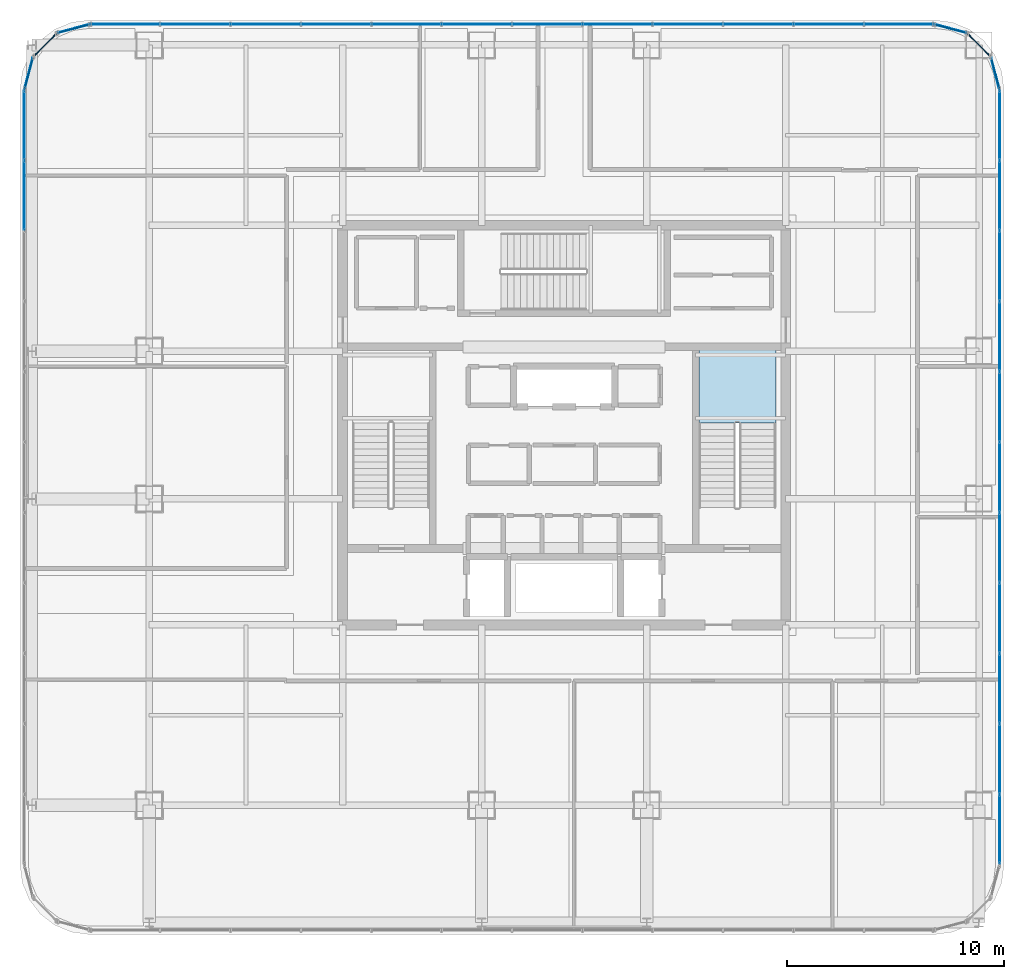
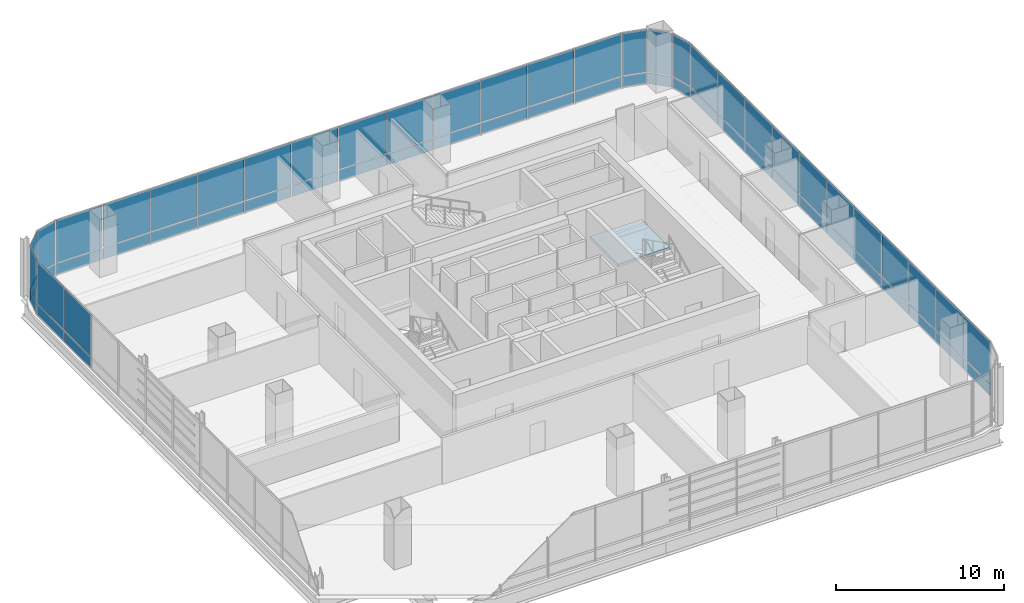
# One storey, part 34 of 43: 62 plates, 1 slab, 10 elements without a shape of their own.
"""IFC4 building model written with IfcOpenShell, lengths in metres."""

from ifc_helpers import new_model, si_unit, direction, frame, origin, origin_2d, place, context, subcontext, project, spatial, polyline, rectangle, outline, extrude, material, layer, layer_set, type_object, element, aggregate, save


model = new_model("IFC4")

# Units and contexts
model_context = context("Model", 3, precision=1e-05, world=origin(), true_north=direction((0.0, 1.0)))
body_context = subcontext(model_context, "Body", "Model", "MODEL_VIEW")
ifc_project = project(units=[si_unit("LENGTHUNIT", "METRE"), si_unit("AREAUNIT", "SQUARE_METRE"), si_unit("VOLUMEUNIT", "CUBIC_METRE"), si_unit("PLANEANGLEUNIT", "RADIAN"), si_unit("MASSUNIT", "GRAM", prefix="KILO")], contexts=[model_context])

# Site, building, storey
site_placement = place(None, origin())
site = spatial("IfcSite", under=ifc_project, at=site_placement, CompositionType="ELEMENT")
building_placement = place(site_placement, origin())
building = spatial("IfcBuilding", under=site, at=building_placement, Name="Punatoya Terracotta Tower", CompositionType="ELEMENT")
storey_placement = place(building_placement, frame((0.0, 0.0, 321.60009765625)))
storey = spatial("IfcBuildingStorey", under=building, at=storey_placement, Name="L76", CompositionType="ELEMENT", Elevation=321.60009765625)

# Curtain wall, plates
ifc_material_1 = material(Name="Aluminium 6063-T6 + Double Low-E Glass", Category="aluminium")
curtain_wall_type = type_object("IfcCurtainWallType", Name="CW-OBS", PredefinedType="NOTDEFINED", material=ifc_material_1)
curtain_wall_1_placement = place(storey_placement, origin())
curtain_wall_1 = element("IfcCurtainWall", 1, at=curtain_wall_1_placement, inside=storey, type_object=curtain_wall_type, Name="L76 Curtain Wall CW-L76-E05-1", PredefinedType="NOTDEFINED")
ifc_material_2 = material(Name="Laminated Observation Low-Iron Glass", Category="glass")
ifc_layer_1 = layer(ifc_material_2, 0.0380859375)
ifc_layer_set_1 = layer_set([ifc_layer_1], Name="Laminated Observation Low-Iron Glass")
plate_type_1 = type_object("IfcPlateType", Name="PLT-GLZ-38", PredefinedType="CURTAIN_PANEL", material=ifc_layer_set_1)
plate_1_placement = place(storey_placement, frame((20.050048828125, -18.615478515625, 0.8896484375), z_axis=(0.0, 0.0, 1.0), x_axis=(0.0, 1.0, 0.0)))
plate_1 = element("IfcPlate", 2, at=plate_1_placement, type_object=plate_type_1, Name="CW-L76-E05-1 Vision Glass Panel 1", PredefinedType="CURTAIN_PANEL", context=body_context, shape_type="SweptSolid", body=[
    extrude(rectangle(XDim=3.158203125, YDim=0.0380859375, at=origin_2d()), origin(), (0.0, 0.0, 1.0), 3.070068359375),
])
plate_2_placement = place(storey_placement, frame((20.050048828125, -15.372314453125, 0.8896484375), z_axis=(0.0, 0.0, 1.0), x_axis=(0.0, 1.0, 0.0)))
plate_2 = element("IfcPlate", 3, at=plate_2_placement, type_object=plate_type_1, Name="CW-L76-E05-1 Vision Glass Panel 2", PredefinedType="CURTAIN_PANEL", context=body_context, shape_type="SweptSolid", body=[
    extrude(rectangle(XDim=3.158203125, YDim=0.0380859375, at=origin_2d()), origin(), (0.0, 0.0, 1.0), 3.070068359375),
])
plate_3_placement = place(storey_placement, frame((20.050048828125, -12.129150390625, 0.8896484375), z_axis=(0.0, 0.0, 1.0), x_axis=(0.0, 1.0, 0.0)))
plate_3 = element("IfcPlate", 4, at=plate_3_placement, type_object=plate_type_1, Name="CW-L76-E05-1 Vision Glass Panel 3", PredefinedType="CURTAIN_PANEL", context=body_context, shape_type="SweptSolid", body=[
    extrude(rectangle(XDim=3.158203125, YDim=0.0380859375, at=origin_2d()), origin(), (0.0, 0.0, 1.0), 3.070068359375),
])
plate_4_placement = place(storey_placement, frame((20.050048828125, -8.885986328125, 0.8896484375), z_axis=(0.0, 0.0, 1.0), x_axis=(0.0, 1.0, 0.0)))
plate_4 = element("IfcPlate", 5, at=plate_4_placement, type_object=plate_type_1, Name="CW-L76-E05-1 Vision Glass Panel 4", PredefinedType="CURTAIN_PANEL", context=body_context, shape_type="SweptSolid", body=[
    extrude(rectangle(XDim=3.158203125, YDim=0.0380859375, at=origin_2d()), origin(), (0.0, 0.0, 1.0), 3.070068359375),
])
plate_5_placement = place(storey_placement, frame((20.050048828125, -5.64306640625, 0.8896484375), z_axis=(0.0, 0.0, 1.0), x_axis=(0.0, 1.0, 0.0)))
plate_5 = element("IfcPlate", 6, at=plate_5_placement, type_object=plate_type_1, Name="CW-L76-E05-1 Vision Glass Panel 5", PredefinedType="CURTAIN_PANEL", context=body_context, shape_type="SweptSolid", body=[
    extrude(rectangle(XDim=3.158203125, YDim=0.0380859375, at=origin_2d()), origin(), (0.0, 0.0, 1.0), 3.070068359375),
])
plate_6_placement = place(storey_placement, frame((20.050048828125, -2.39990234375, 0.8896484375), z_axis=(0.0, 0.0, 1.0), x_axis=(0.0, 1.0, 0.0)))
plate_6 = element("IfcPlate", 7, at=plate_6_placement, type_object=plate_type_1, Name="CW-L76-E05-1 Vision Glass Panel 6", PredefinedType="CURTAIN_PANEL", context=body_context, shape_type="SweptSolid", body=[
    extrude(rectangle(XDim=3.158203125, YDim=0.0380859375, at=origin_2d()), origin(), (0.0, 0.0, 1.0), 3.070068359375),
])
plate_7_placement = place(storey_placement, frame((20.050048828125, 0.843017578125, 0.8896484375), z_axis=(0.0, 0.0, 1.0), x_axis=(0.0, 1.0, 0.0)))
plate_7 = element("IfcPlate", 8, at=plate_7_placement, type_object=plate_type_1, Name="CW-L76-E05-1 Vision Glass Panel 7", PredefinedType="CURTAIN_PANEL", context=body_context, shape_type="SweptSolid", body=[
    extrude(rectangle(XDim=3.158203125, YDim=0.0380859375, at=origin_2d()), origin(), (0.0, 0.0, 1.0), 3.070068359375),
])
plate_8_placement = place(storey_placement, frame((20.050048828125, 4.086181640625, 0.8896484375), z_axis=(0.0, 0.0, 1.0), x_axis=(0.0, 1.0, 0.0)))
plate_8 = element("IfcPlate", 9, at=plate_8_placement, type_object=plate_type_1, Name="CW-L76-E05-1 Vision Glass Panel 8", PredefinedType="CURTAIN_PANEL", context=body_context, shape_type="SweptSolid", body=[
    extrude(rectangle(XDim=3.158203125, YDim=0.0380859375, at=origin_2d()), origin(), (0.0, 0.0, 1.0), 3.070068359375),
])
plate_9_placement = place(storey_placement, frame((20.050048828125, 7.3291015625, 0.8896484375), z_axis=(0.0, 0.0, 1.0), x_axis=(0.0, 1.0, 0.0)))
plate_9 = element("IfcPlate", 10, at=plate_9_placement, type_object=plate_type_1, Name="CW-L76-E05-1 Vision Glass Panel 9", PredefinedType="CURTAIN_PANEL", context=body_context, shape_type="SweptSolid", body=[
    extrude(rectangle(XDim=3.158203125, YDim=0.0380859375, at=origin_2d()), origin(), (0.0, 0.0, 1.0), 3.070068359375),
])
plate_10_placement = place(storey_placement, frame((20.050048828125, 10.572265625, 0.8896484375), z_axis=(0.0, 0.0, 1.0), x_axis=(0.0, 1.0, 0.0)))
plate_10 = element("IfcPlate", 11, at=plate_10_placement, type_object=plate_type_1, Name="CW-L76-E05-1 Vision Glass Panel 10", PredefinedType="CURTAIN_PANEL", context=body_context, shape_type="SweptSolid", body=[
    extrude(rectangle(XDim=3.158203125, YDim=0.0380859375, at=origin_2d()), origin(), (0.0, 0.0, 1.0), 3.070068359375),
])
plate_11_placement = place(storey_placement, frame((20.050048828125, 13.8154296875, 0.8896484375), z_axis=(0.0, 0.0, 1.0), x_axis=(0.0, 1.0, 0.0)))
plate_11 = element("IfcPlate", 12, at=plate_11_placement, type_object=plate_type_1, Name="CW-L76-E05-1 Vision Glass Panel 11", PredefinedType="CURTAIN_PANEL", context=body_context, shape_type="SweptSolid", body=[
    extrude(rectangle(XDim=3.158203125, YDim=0.0380859375, at=origin_2d()), origin(), (0.0, 0.0, 1.0), 3.070068359375),
])

# Curtain wall, plate
curtain_wall_2_placement = place(storey_placement, origin())
curtain_wall_2 = element("IfcCurtainWall", 13, at=curtain_wall_2_placement, inside=storey, type_object=curtain_wall_type, Name="L76 Curtain Wall CW-L76-CRN06", PredefinedType="NOTDEFINED")
plate_12_placement = place(storey_placement, frame((19.848388671875, 16.193115234375, 0.8896484375), z_axis=(0.0, 0.0, 1.0), x_axis=(-0.257741620719, 0.966213877436, 0.0)))
plate_12 = element("IfcPlate", 14, at=plate_12_placement, type_object=plate_type_1, Name="CW-L76-CRN06 Vision Glass Panel 1", PredefinedType="CURTAIN_PANEL", context=body_context, shape_type="SweptSolid", body=[
    extrude(rectangle(XDim=1.47998046875, YDim=0.0380859375, at=origin_2d()), origin(), (0.0, 0.0, 1.0), 3.070068359375),
])

curtain_wall_3_placement = place(storey_placement, origin())
curtain_wall_3 = element("IfcCurtainWall", 15, at=curtain_wall_3_placement, inside=storey, type_object=curtain_wall_type, Name="L76 Curtain Wall CW-L76-CRN07", PredefinedType="NOTDEFINED")
plate_13_placement = place(storey_placement, frame((19.097900390625, 17.497802734375, 0.8896484375), z_axis=(0.0, 0.0, 1.0), x_axis=(-0.707106781187, 0.707106781187, 0.0)))
plate_13 = element("IfcPlate", 16, at=plate_13_placement, type_object=plate_type_1, Name="CW-L76-CRN07 Vision Glass Panel 1", PredefinedType="CURTAIN_PANEL", context=body_context, shape_type="SweptSolid", body=[
    extrude(rectangle(XDim=1.467041015625, YDim=0.0380859375, at=origin_2d()), origin(), (0.0, 0.0, 1.0), 3.070068359375),
])

curtain_wall_4_placement = place(storey_placement, origin())
curtain_wall_4 = element("IfcCurtainWall", 17, at=curtain_wall_4_placement, inside=storey, type_object=curtain_wall_type, Name="L76 Curtain Wall CW-L76-CRN08", PredefinedType="NOTDEFINED")
plate_14_placement = place(storey_placement, frame((17.79296875, 18.248291015625, 0.8896484375), z_axis=(0.0, 0.0, 1.0), x_axis=(-0.966213877436, 0.257741620719, 0.0)))
plate_14 = element("IfcPlate", 18, at=plate_14_placement, type_object=plate_type_1, Name="CW-L76-CRN08 Vision Glass Panel 1", PredefinedType="CURTAIN_PANEL", context=body_context, shape_type="SweptSolid", body=[
    extrude(rectangle(XDim=1.47998046875, YDim=0.0380859375, at=origin_2d()), origin(), (0.0, 0.0, 1.0), 3.070068359375),
])

# Curtain wall, plates
curtain_wall_5_placement = place(storey_placement, origin())
curtain_wall_5 = element("IfcCurtainWall", 19, at=curtain_wall_5_placement, inside=storey, type_object=curtain_wall_type, Name="L76 Curtain Wall CW-L76-N09-1", PredefinedType="NOTDEFINED")
plate_15_placement = place(storey_placement, frame((15.417236328125, 18.449951171875, 0.8896484375), z_axis=(0.0, 0.0, 1.0), x_axis=(-1.0, 0.0, 0.0)))
plate_15 = element("IfcPlate", 20, at=plate_15_placement, type_object=plate_type_1, Name="CW-L76-N09-1 Vision Glass Panel 1", PredefinedType="CURTAIN_PANEL", context=body_context, shape_type="SweptSolid", body=[
    extrude(rectangle(XDim=3.154541015625, YDim=0.0380859375, at=origin_2d()), origin(), (0.0, 0.0, 1.0), 3.070068359375),
])
plate_16_placement = place(storey_placement, frame((12.177734375, 18.449951171875, 0.8896484375), z_axis=(0.0, 0.0, 1.0), x_axis=(-1.0, 0.0, 0.0)))
plate_16 = element("IfcPlate", 21, at=plate_16_placement, type_object=plate_type_1, Name="CW-L76-N09-1 Vision Glass Panel 2", PredefinedType="CURTAIN_PANEL", context=body_context, shape_type="SweptSolid", body=[
    extrude(rectangle(XDim=3.154541015625, YDim=0.0380859375, at=origin_2d()), origin(), (0.0, 0.0, 1.0), 3.070068359375),
])
plate_17_placement = place(storey_placement, frame((8.938232421875, 18.449951171875, 0.8896484375), z_axis=(0.0, 0.0, 1.0), x_axis=(-1.0, 0.0, 0.0)))
plate_17 = element("IfcPlate", 22, at=plate_17_placement, type_object=plate_type_1, Name="CW-L76-N09-1 Vision Glass Panel 3", PredefinedType="CURTAIN_PANEL", context=body_context, shape_type="SweptSolid", body=[
    extrude(rectangle(XDim=3.154541015625, YDim=0.0380859375, at=origin_2d()), origin(), (0.0, 0.0, 1.0), 3.070068359375),
])
plate_18_placement = place(storey_placement, frame((5.69873046875, 18.449951171875, 0.8896484375), z_axis=(0.0, 0.0, 1.0), x_axis=(-1.0, 0.0, 0.0)))
plate_18 = element("IfcPlate", 23, at=plate_18_placement, type_object=plate_type_1, Name="CW-L76-N09-1 Vision Glass Panel 4", PredefinedType="CURTAIN_PANEL", context=body_context, shape_type="SweptSolid", body=[
    extrude(rectangle(XDim=3.154541015625, YDim=0.0380859375, at=origin_2d()), origin(), (0.0, 0.0, 1.0), 3.070068359375),
])
plate_19_placement = place(storey_placement, frame((2.459228515625, 18.449951171875, 0.8896484375), z_axis=(0.0, 0.0, 1.0), x_axis=(-1.0, 0.0, 0.0)))
plate_19 = element("IfcPlate", 24, at=plate_19_placement, type_object=plate_type_1, Name="CW-L76-N09-1 Vision Glass Panel 5", PredefinedType="CURTAIN_PANEL", context=body_context, shape_type="SweptSolid", body=[
    extrude(rectangle(XDim=3.154541015625, YDim=0.0380859375, at=origin_2d()), origin(), (0.0, 0.0, 1.0), 3.070068359375),
])
plate_20_placement = place(storey_placement, frame((-0.7802734375, 18.449951171875, 0.8896484375), z_axis=(0.0, 0.0, 1.0), x_axis=(-1.0, 0.0, 0.0)))
plate_20 = element("IfcPlate", 25, at=plate_20_placement, type_object=plate_type_1, Name="CW-L76-N09-1 Vision Glass Panel 6", PredefinedType="CURTAIN_PANEL", context=body_context, shape_type="SweptSolid", body=[
    extrude(rectangle(XDim=3.154541015625, YDim=0.0380859375, at=origin_2d()), origin(), (0.0, 0.0, 1.0), 3.070068359375),
])
plate_21_placement = place(storey_placement, frame((-4.019775390625, 18.449951171875, 0.8896484375), z_axis=(0.0, 0.0, 1.0), x_axis=(-1.0, 0.0, 0.0)))
plate_21 = element("IfcPlate", 26, at=plate_21_placement, type_object=plate_type_1, Name="CW-L76-N09-1 Vision Glass Panel 7", PredefinedType="CURTAIN_PANEL", context=body_context, shape_type="SweptSolid", body=[
    extrude(rectangle(XDim=3.154541015625, YDim=0.0380859375, at=origin_2d()), origin(), (0.0, 0.0, 1.0), 3.070068359375),
])
plate_22_placement = place(storey_placement, frame((-7.25927734375, 18.449951171875, 0.8896484375), z_axis=(0.0, 0.0, 1.0), x_axis=(-1.0, 0.0, 0.0)))
plate_22 = element("IfcPlate", 27, at=plate_22_placement, type_object=plate_type_1, Name="CW-L76-N09-1 Vision Glass Panel 8", PredefinedType="CURTAIN_PANEL", context=body_context, shape_type="SweptSolid", body=[
    extrude(rectangle(XDim=3.154541015625, YDim=0.0380859375, at=origin_2d()), origin(), (0.0, 0.0, 1.0), 3.070068359375),
])
plate_23_placement = place(storey_placement, frame((-10.498779296875, 18.449951171875, 0.8896484375), z_axis=(0.0, 0.0, 1.0), x_axis=(-1.0, 0.0, 0.0)))
plate_23 = element("IfcPlate", 28, at=plate_23_placement, type_object=plate_type_1, Name="CW-L76-N09-1 Vision Glass Panel 9", PredefinedType="CURTAIN_PANEL", context=body_context, shape_type="SweptSolid", body=[
    extrude(rectangle(XDim=3.154541015625, YDim=0.0380859375, at=origin_2d()), origin(), (0.0, 0.0, 1.0), 3.070068359375),
])
plate_24_placement = place(storey_placement, frame((-13.73828125, 18.449951171875, 0.8896484375), z_axis=(0.0, 0.0, 1.0), x_axis=(-1.0, 0.0, 0.0)))
plate_24 = element("IfcPlate", 29, at=plate_24_placement, type_object=plate_type_1, Name="CW-L76-N09-1 Vision Glass Panel 10", PredefinedType="CURTAIN_PANEL", context=body_context, shape_type="SweptSolid", body=[
    extrude(rectangle(XDim=3.154541015625, YDim=0.0380859375, at=origin_2d()), origin(), (0.0, 0.0, 1.0), 3.070068359375),
])
plate_25_placement = place(storey_placement, frame((-16.977783203125, 18.449951171875, 0.8896484375), z_axis=(0.0, 0.0, 1.0), x_axis=(-1.0, 0.0, 0.0)))
plate_25 = element("IfcPlate", 30, at=plate_25_placement, type_object=plate_type_1, Name="CW-L76-N09-1 Vision Glass Panel 11", PredefinedType="CURTAIN_PANEL", context=body_context, shape_type="SweptSolid", body=[
    extrude(rectangle(XDim=3.154541015625, YDim=0.0380859375, at=origin_2d()), origin(), (0.0, 0.0, 1.0), 3.070068359375),
])
plate_26_placement = place(storey_placement, frame((-20.21728515625, 18.449951171875, 0.8896484375), z_axis=(0.0, 0.0, 1.0), x_axis=(-1.0, 0.0, 0.0)))
plate_26 = element("IfcPlate", 31, at=plate_26_placement, type_object=plate_type_1, Name="CW-L76-N09-1 Vision Glass Panel 12", PredefinedType="CURTAIN_PANEL", context=body_context, shape_type="SweptSolid", body=[
    extrude(rectangle(XDim=3.154541015625, YDim=0.0380859375, at=origin_2d()), origin(), (0.0, 0.0, 1.0), 3.070068359375),
])

# Curtain wall, plate
curtain_wall_6_placement = place(storey_placement, origin())
curtain_wall_6 = element("IfcCurtainWall", 32, at=curtain_wall_6_placement, inside=storey, type_object=curtain_wall_type, Name="L76 Curtain Wall CW-L76-CRN10", PredefinedType="NOTDEFINED")
plate_27_placement = place(storey_placement, frame((-22.593017578125, 18.248291015625, 0.8896484375), z_axis=(0.0, 0.0, 1.0), x_axis=(-0.966213877436, -0.257741620719, 0.0)))
plate_27 = element("IfcPlate", 33, at=plate_27_placement, type_object=plate_type_1, Name="CW-L76-CRN10 Vision Glass Panel 1", PredefinedType="CURTAIN_PANEL", context=body_context, shape_type="SweptSolid", body=[
    extrude(rectangle(XDim=1.47998046875, YDim=0.0380859375, at=origin_2d()), origin(), (0.0, 0.0, 1.0), 3.070068359375),
])

curtain_wall_7_placement = place(storey_placement, origin())
curtain_wall_7 = element("IfcCurtainWall", 34, at=curtain_wall_7_placement, inside=storey, type_object=curtain_wall_type, Name="L76 Curtain Wall CW-L76-CRN11", PredefinedType="NOTDEFINED")
plate_28_placement = place(storey_placement, frame((-23.89794921875, 17.497802734375, 0.8896484375), z_axis=(0.0, 0.0, 1.0), x_axis=(-0.707106781187, -0.707106781187, 0.0)))
plate_28 = element("IfcPlate", 35, at=plate_28_placement, type_object=plate_type_1, Name="CW-L76-CRN11 Vision Glass Panel 1", PredefinedType="CURTAIN_PANEL", context=body_context, shape_type="SweptSolid", body=[
    extrude(rectangle(XDim=1.467041015625, YDim=0.0380859375, at=origin_2d()), origin(), (0.0, 0.0, 1.0), 3.070068359375),
])

curtain_wall_8_placement = place(storey_placement, origin())
curtain_wall_8 = element("IfcCurtainWall", 36, at=curtain_wall_8_placement, inside=storey, type_object=curtain_wall_type, Name="L76 Curtain Wall CW-L76-CRN12", PredefinedType="NOTDEFINED")
plate_29_placement = place(storey_placement, frame((-24.648193359375, 16.193115234375, 0.8896484375), z_axis=(0.0, 0.0, 1.0), x_axis=(-0.257741620719, -0.966213877436, 0.0)))
plate_29 = element("IfcPlate", 37, at=plate_29_placement, type_object=plate_type_1, Name="CW-L76-CRN12 Vision Glass Panel 1", PredefinedType="CURTAIN_PANEL", context=body_context, shape_type="SweptSolid", body=[
    extrude(rectangle(XDim=1.47998046875, YDim=0.0380859375, at=origin_2d()), origin(), (0.0, 0.0, 1.0), 3.070068359375),
])

# Curtain wall, plates
curtain_wall_9_placement = place(storey_placement, origin())
curtain_wall_9 = element("IfcCurtainWall", 38, at=curtain_wall_9_placement, inside=storey, type_object=curtain_wall_type, Name="L76 Curtain Wall CW-L76-W13-1", PredefinedType="NOTDEFINED")
plate_30_placement = place(storey_placement, frame((-24.85009765625, 13.8154296875, 0.8896484375), z_axis=(0.0, 0.0, 1.0), x_axis=(0.0, -1.0, 0.0)))
plate_30 = element("IfcPlate", 39, at=plate_30_placement, type_object=plate_type_1, Name="CW-L76-W13-1 Vision Glass Panel 1", PredefinedType="CURTAIN_PANEL", context=body_context, shape_type="SweptSolid", body=[
    extrude(rectangle(XDim=3.158203125, YDim=0.0380859375, at=origin_2d()), origin(), (0.0, 0.0, 1.0), 3.070068359375),
])
plate_31_placement = place(storey_placement, frame((-24.85009765625, 10.572265625, 0.8896484375), z_axis=(0.0, 0.0, 1.0), x_axis=(0.0, -1.0, 0.0)))
plate_31 = element("IfcPlate", 40, at=plate_31_placement, type_object=plate_type_1, Name="CW-L76-W13-1 Vision Glass Panel 2", PredefinedType="CURTAIN_PANEL", context=body_context, shape_type="SweptSolid", body=[
    extrude(rectangle(XDim=3.158203125, YDim=0.0380859375, at=origin_2d()), origin(), (0.0, 0.0, 1.0), 3.070068359375),
])

# Plate
ifc_material_3 = material(Name="Insulated Terracotta-Backed Spandrel Panel", Category="masonry")
ifc_layer_2 = layer(ifc_material_3, 0.044921875)
ifc_layer_set_2 = layer_set([ifc_layer_2], Name="Insulated Terracotta-Backed Spandrel Panel")
plate_type_2 = type_object("IfcPlateType", Name="PLT-SPN-45", PredefinedType="CURTAIN_PANEL", material=ifc_layer_set_2)
plate_32_placement = place(storey_placement, frame((20.050048828125, -18.615478515625, 0.0400390625), z_axis=(0.0, 0.0, 1.0), x_axis=(0.0, 1.0, 0.0)))
plate_32 = element("IfcPlate", 41, at=plate_32_placement, type_object=plate_type_2, Name="CW-L76-E05-1 Terracotta Spandrel Panel 1", PredefinedType="CURTAIN_PANEL", context=body_context, shape_type="SweptSolid", body=[
    extrude(rectangle(XDim=3.158203125, YDim=0.044921875, at=origin_2d()), origin(), (0.0, 0.0, 1.0), 0.77490234375),
])

plate_33_placement = place(storey_placement, frame((20.050048828125, -15.372314453125, 0.0400390625), z_axis=(0.0, 0.0, 1.0), x_axis=(0.0, 1.0, 0.0)))
plate_33 = element("IfcPlate", 42, at=plate_33_placement, type_object=plate_type_2, Name="CW-L76-E05-1 Terracotta Spandrel Panel 2", PredefinedType="CURTAIN_PANEL", context=body_context, shape_type="SweptSolid", body=[
    extrude(rectangle(XDim=3.158203125, YDim=0.044921875, at=origin_2d()), origin(), (0.0, 0.0, 1.0), 0.77490234375),
])

plate_34_placement = place(storey_placement, frame((20.050048828125, -12.129150390625, 0.0400390625), z_axis=(0.0, 0.0, 1.0), x_axis=(0.0, 1.0, 0.0)))
plate_34 = element("IfcPlate", 43, at=plate_34_placement, type_object=plate_type_2, Name="CW-L76-E05-1 Terracotta Spandrel Panel 3", PredefinedType="CURTAIN_PANEL", context=body_context, shape_type="SweptSolid", body=[
    extrude(rectangle(XDim=3.158203125, YDim=0.044921875, at=origin_2d()), origin(), (0.0, 0.0, 1.0), 0.77490234375),
])

plate_35_placement = place(storey_placement, frame((20.050048828125, -8.885986328125, 0.0400390625), z_axis=(0.0, 0.0, 1.0), x_axis=(0.0, 1.0, 0.0)))
plate_35 = element("IfcPlate", 44, at=plate_35_placement, type_object=plate_type_2, Name="CW-L76-E05-1 Terracotta Spandrel Panel 4", PredefinedType="CURTAIN_PANEL", context=body_context, shape_type="SweptSolid", body=[
    extrude(rectangle(XDim=3.158203125, YDim=0.044921875, at=origin_2d()), origin(), (0.0, 0.0, 1.0), 0.77490234375),
])

plate_36_placement = place(storey_placement, frame((20.050048828125, -5.64306640625, 0.0400390625), z_axis=(0.0, 0.0, 1.0), x_axis=(0.0, 1.0, 0.0)))
plate_36 = element("IfcPlate", 45, at=plate_36_placement, type_object=plate_type_2, Name="CW-L76-E05-1 Terracotta Spandrel Panel 5", PredefinedType="CURTAIN_PANEL", context=body_context, shape_type="SweptSolid", body=[
    extrude(rectangle(XDim=3.158203125, YDim=0.044921875, at=origin_2d()), origin(), (0.0, 0.0, 1.0), 0.77490234375),
])

plate_37_placement = place(storey_placement, frame((20.050048828125, -2.39990234375, 0.0400390625), z_axis=(0.0, 0.0, 1.0), x_axis=(0.0, 1.0, 0.0)))
plate_37 = element("IfcPlate", 46, at=plate_37_placement, type_object=plate_type_2, Name="CW-L76-E05-1 Terracotta Spandrel Panel 6", PredefinedType="CURTAIN_PANEL", context=body_context, shape_type="SweptSolid", body=[
    extrude(rectangle(XDim=3.158203125, YDim=0.044921875, at=origin_2d()), origin(), (0.0, 0.0, 1.0), 0.77490234375),
])

plate_38_placement = place(storey_placement, frame((20.050048828125, 0.843017578125, 0.0400390625), z_axis=(0.0, 0.0, 1.0), x_axis=(0.0, 1.0, 0.0)))
plate_38 = element("IfcPlate", 47, at=plate_38_placement, type_object=plate_type_2, Name="CW-L76-E05-1 Terracotta Spandrel Panel 7", PredefinedType="CURTAIN_PANEL", context=body_context, shape_type="SweptSolid", body=[
    extrude(rectangle(XDim=3.158203125, YDim=0.044921875, at=origin_2d()), origin(), (0.0, 0.0, 1.0), 0.77490234375),
])

plate_39_placement = place(storey_placement, frame((20.050048828125, 4.086181640625, 0.0400390625), z_axis=(0.0, 0.0, 1.0), x_axis=(0.0, 1.0, 0.0)))
plate_39 = element("IfcPlate", 48, at=plate_39_placement, type_object=plate_type_2, Name="CW-L76-E05-1 Terracotta Spandrel Panel 8", PredefinedType="CURTAIN_PANEL", context=body_context, shape_type="SweptSolid", body=[
    extrude(rectangle(XDim=3.158203125, YDim=0.044921875, at=origin_2d()), origin(), (0.0, 0.0, 1.0), 0.77490234375),
])

plate_40_placement = place(storey_placement, frame((20.050048828125, 7.3291015625, 0.0400390625), z_axis=(0.0, 0.0, 1.0), x_axis=(0.0, 1.0, 0.0)))
plate_40 = element("IfcPlate", 49, at=plate_40_placement, type_object=plate_type_2, Name="CW-L76-E05-1 Terracotta Spandrel Panel 9", PredefinedType="CURTAIN_PANEL", context=body_context, shape_type="SweptSolid", body=[
    extrude(rectangle(XDim=3.158203125, YDim=0.044921875, at=origin_2d()), origin(), (0.0, 0.0, 1.0), 0.77490234375),
])

plate_41_placement = place(storey_placement, frame((20.050048828125, 10.572265625, 0.0400390625), z_axis=(0.0, 0.0, 1.0), x_axis=(0.0, 1.0, 0.0)))
plate_41 = element("IfcPlate", 50, at=plate_41_placement, type_object=plate_type_2, Name="CW-L76-E05-1 Terracotta Spandrel Panel 10", PredefinedType="CURTAIN_PANEL", context=body_context, shape_type="SweptSolid", body=[
    extrude(rectangle(XDim=3.158203125, YDim=0.044921875, at=origin_2d()), origin(), (0.0, 0.0, 1.0), 0.77490234375),
])

plate_42_placement = place(storey_placement, frame((20.050048828125, 13.8154296875, 0.0400390625), z_axis=(0.0, 0.0, 1.0), x_axis=(0.0, 1.0, 0.0)))
plate_42 = element("IfcPlate", 51, at=plate_42_placement, type_object=plate_type_2, Name="CW-L76-E05-1 Terracotta Spandrel Panel 11", PredefinedType="CURTAIN_PANEL", context=body_context, shape_type="SweptSolid", body=[
    extrude(rectangle(XDim=3.158203125, YDim=0.044921875, at=origin_2d()), origin(), (0.0, 0.0, 1.0), 0.77490234375),
])

aggregate(curtain_wall_1, [plate_32, plate_1, plate_33, plate_2, plate_34, plate_3, plate_35, plate_4, plate_36, plate_5, plate_37, plate_6, plate_38, plate_7, plate_39, plate_8, plate_40, plate_9, plate_41, plate_10, plate_42, plate_11])

plate_43_placement = place(storey_placement, frame((19.848388671875, 16.193115234375, 0.0400390625), z_axis=(0.0, 0.0, 1.0), x_axis=(-0.257741620719, 0.966213877436, 0.0)))
plate_43 = element("IfcPlate", 52, at=plate_43_placement, type_object=plate_type_2, Name="CW-L76-CRN06 Terracotta Spandrel Panel 1", PredefinedType="CURTAIN_PANEL", context=body_context, shape_type="SweptSolid", body=[
    extrude(rectangle(XDim=1.47998046875, YDim=0.044921875, at=origin_2d()), origin(), (0.0, 0.0, 1.0), 0.77490234375),
])

aggregate(curtain_wall_2, [plate_43, plate_12])

plate_44_placement = place(storey_placement, frame((19.097900390625, 17.497802734375, 0.0400390625), z_axis=(0.0, 0.0, 1.0), x_axis=(-0.707106781187, 0.707106781187, 0.0)))
plate_44 = element("IfcPlate", 53, at=plate_44_placement, type_object=plate_type_2, Name="CW-L76-CRN07 Terracotta Spandrel Panel 1", PredefinedType="CURTAIN_PANEL", context=body_context, shape_type="SweptSolid", body=[
    extrude(rectangle(XDim=1.467041015625, YDim=0.044921875, at=origin_2d()), origin(), (0.0, 0.0, 1.0), 0.77490234375),
])

aggregate(curtain_wall_3, [plate_44, plate_13])

plate_45_placement = place(storey_placement, frame((17.79296875, 18.248291015625, 0.0400390625), z_axis=(0.0, 0.0, 1.0), x_axis=(-0.966213877436, 0.257741620719, 0.0)))
plate_45 = element("IfcPlate", 54, at=plate_45_placement, type_object=plate_type_2, Name="CW-L76-CRN08 Terracotta Spandrel Panel 1", PredefinedType="CURTAIN_PANEL", context=body_context, shape_type="SweptSolid", body=[
    extrude(rectangle(XDim=1.47998046875, YDim=0.044921875, at=origin_2d()), origin(), (0.0, 0.0, 1.0), 0.77490234375),
])

aggregate(curtain_wall_4, [plate_45, plate_14])

plate_46_placement = place(storey_placement, frame((15.417236328125, 18.449951171875, 0.0400390625), z_axis=(0.0, 0.0, 1.0), x_axis=(-1.0, 0.0, 0.0)))
plate_46 = element("IfcPlate", 55, at=plate_46_placement, type_object=plate_type_2, Name="CW-L76-N09-1 Terracotta Spandrel Panel 1", PredefinedType="CURTAIN_PANEL", context=body_context, shape_type="SweptSolid", body=[
    extrude(rectangle(XDim=3.154541015625, YDim=0.044921875, at=origin_2d()), origin(), (0.0, 0.0, 1.0), 0.77490234375),
])

plate_47_placement = place(storey_placement, frame((12.177734375, 18.449951171875, 0.0400390625), z_axis=(0.0, 0.0, 1.0), x_axis=(-1.0, 0.0, 0.0)))
plate_47 = element("IfcPlate", 56, at=plate_47_placement, type_object=plate_type_2, Name="CW-L76-N09-1 Terracotta Spandrel Panel 2", PredefinedType="CURTAIN_PANEL", context=body_context, shape_type="SweptSolid", body=[
    extrude(rectangle(XDim=3.154541015625, YDim=0.044921875, at=origin_2d()), origin(), (0.0, 0.0, 1.0), 0.77490234375),
])

plate_48_placement = place(storey_placement, frame((8.938232421875, 18.449951171875, 0.0400390625), z_axis=(0.0, 0.0, 1.0), x_axis=(-1.0, 0.0, 0.0)))
plate_48 = element("IfcPlate", 57, at=plate_48_placement, type_object=plate_type_2, Name="CW-L76-N09-1 Terracotta Spandrel Panel 3", PredefinedType="CURTAIN_PANEL", context=body_context, shape_type="SweptSolid", body=[
    extrude(rectangle(XDim=3.154541015625, YDim=0.044921875, at=origin_2d()), origin(), (0.0, 0.0, 1.0), 0.77490234375),
])

plate_49_placement = place(storey_placement, frame((5.69873046875, 18.449951171875, 0.0400390625), z_axis=(0.0, 0.0, 1.0), x_axis=(-1.0, 0.0, 0.0)))
plate_49 = element("IfcPlate", 58, at=plate_49_placement, type_object=plate_type_2, Name="CW-L76-N09-1 Terracotta Spandrel Panel 4", PredefinedType="CURTAIN_PANEL", context=body_context, shape_type="SweptSolid", body=[
    extrude(rectangle(XDim=3.154541015625, YDim=0.044921875, at=origin_2d()), origin(), (0.0, 0.0, 1.0), 0.77490234375),
])

plate_50_placement = place(storey_placement, frame((2.459228515625, 18.449951171875, 0.0400390625), z_axis=(0.0, 0.0, 1.0), x_axis=(-1.0, 0.0, 0.0)))
plate_50 = element("IfcPlate", 59, at=plate_50_placement, type_object=plate_type_2, Name="CW-L76-N09-1 Terracotta Spandrel Panel 5", PredefinedType="CURTAIN_PANEL", context=body_context, shape_type="SweptSolid", body=[
    extrude(rectangle(XDim=3.154541015625, YDim=0.044921875, at=origin_2d()), origin(), (0.0, 0.0, 1.0), 0.77490234375),
])

plate_51_placement = place(storey_placement, frame((-0.7802734375, 18.449951171875, 0.0400390625), z_axis=(0.0, 0.0, 1.0), x_axis=(-1.0, 0.0, 0.0)))
plate_51 = element("IfcPlate", 60, at=plate_51_placement, type_object=plate_type_2, Name="CW-L76-N09-1 Terracotta Spandrel Panel 6", PredefinedType="CURTAIN_PANEL", context=body_context, shape_type="SweptSolid", body=[
    extrude(rectangle(XDim=3.154541015625, YDim=0.044921875, at=origin_2d()), origin(), (0.0, 0.0, 1.0), 0.77490234375),
])

plate_52_placement = place(storey_placement, frame((-4.019775390625, 18.449951171875, 0.0400390625), z_axis=(0.0, 0.0, 1.0), x_axis=(-1.0, 0.0, 0.0)))
plate_52 = element("IfcPlate", 61, at=plate_52_placement, type_object=plate_type_2, Name="CW-L76-N09-1 Terracotta Spandrel Panel 7", PredefinedType="CURTAIN_PANEL", context=body_context, shape_type="SweptSolid", body=[
    extrude(rectangle(XDim=3.154541015625, YDim=0.044921875, at=origin_2d()), origin(), (0.0, 0.0, 1.0), 0.77490234375),
])

plate_53_placement = place(storey_placement, frame((-7.25927734375, 18.449951171875, 0.0400390625), z_axis=(0.0, 0.0, 1.0), x_axis=(-1.0, 0.0, 0.0)))
plate_53 = element("IfcPlate", 62, at=plate_53_placement, type_object=plate_type_2, Name="CW-L76-N09-1 Terracotta Spandrel Panel 8", PredefinedType="CURTAIN_PANEL", context=body_context, shape_type="SweptSolid", body=[
    extrude(rectangle(XDim=3.154541015625, YDim=0.044921875, at=origin_2d()), origin(), (0.0, 0.0, 1.0), 0.77490234375),
])

plate_54_placement = place(storey_placement, frame((-10.498779296875, 18.449951171875, 0.0400390625), z_axis=(0.0, 0.0, 1.0), x_axis=(-1.0, 0.0, 0.0)))
plate_54 = element("IfcPlate", 63, at=plate_54_placement, type_object=plate_type_2, Name="CW-L76-N09-1 Terracotta Spandrel Panel 9", PredefinedType="CURTAIN_PANEL", context=body_context, shape_type="SweptSolid", body=[
    extrude(rectangle(XDim=3.154541015625, YDim=0.044921875, at=origin_2d()), origin(), (0.0, 0.0, 1.0), 0.77490234375),
])

plate_55_placement = place(storey_placement, frame((-13.73828125, 18.449951171875, 0.0400390625), z_axis=(0.0, 0.0, 1.0), x_axis=(-1.0, 0.0, 0.0)))
plate_55 = element("IfcPlate", 64, at=plate_55_placement, type_object=plate_type_2, Name="CW-L76-N09-1 Terracotta Spandrel Panel 10", PredefinedType="CURTAIN_PANEL", context=body_context, shape_type="SweptSolid", body=[
    extrude(rectangle(XDim=3.154541015625, YDim=0.044921875, at=origin_2d()), origin(), (0.0, 0.0, 1.0), 0.77490234375),
])

plate_56_placement = place(storey_placement, frame((-16.977783203125, 18.449951171875, 0.0400390625), z_axis=(0.0, 0.0, 1.0), x_axis=(-1.0, 0.0, 0.0)))
plate_56 = element("IfcPlate", 65, at=plate_56_placement, type_object=plate_type_2, Name="CW-L76-N09-1 Terracotta Spandrel Panel 11", PredefinedType="CURTAIN_PANEL", context=body_context, shape_type="SweptSolid", body=[
    extrude(rectangle(XDim=3.154541015625, YDim=0.044921875, at=origin_2d()), origin(), (0.0, 0.0, 1.0), 0.77490234375),
])

plate_57_placement = place(storey_placement, frame((-20.21728515625, 18.449951171875, 0.0400390625), z_axis=(0.0, 0.0, 1.0), x_axis=(-1.0, 0.0, 0.0)))
plate_57 = element("IfcPlate", 66, at=plate_57_placement, type_object=plate_type_2, Name="CW-L76-N09-1 Terracotta Spandrel Panel 12", PredefinedType="CURTAIN_PANEL", context=body_context, shape_type="SweptSolid", body=[
    extrude(rectangle(XDim=3.154541015625, YDim=0.044921875, at=origin_2d()), origin(), (0.0, 0.0, 1.0), 0.77490234375),
])

aggregate(curtain_wall_5, [plate_46, plate_15, plate_47, plate_16, plate_48, plate_17, plate_49, plate_18, plate_50, plate_19, plate_51, plate_20, plate_52, plate_21, plate_53, plate_22, plate_54, plate_23, plate_55, plate_24, plate_56, plate_25, plate_57, plate_26])

plate_58_placement = place(storey_placement, frame((-22.593017578125, 18.248291015625, 0.0400390625), z_axis=(0.0, 0.0, 1.0), x_axis=(-0.966213877436, -0.257741620719, 0.0)))
plate_58 = element("IfcPlate", 67, at=plate_58_placement, type_object=plate_type_2, Name="CW-L76-CRN10 Terracotta Spandrel Panel 1", PredefinedType="CURTAIN_PANEL", context=body_context, shape_type="SweptSolid", body=[
    extrude(rectangle(XDim=1.47998046875, YDim=0.044921875, at=origin_2d()), origin(), (0.0, 0.0, 1.0), 0.77490234375),
])

aggregate(curtain_wall_6, [plate_58, plate_27])

plate_59_placement = place(storey_placement, frame((-23.89794921875, 17.497802734375, 0.0400390625), z_axis=(0.0, 0.0, 1.0), x_axis=(-0.707106781187, -0.707106781187, 0.0)))
plate_59 = element("IfcPlate", 68, at=plate_59_placement, type_object=plate_type_2, Name="CW-L76-CRN11 Terracotta Spandrel Panel 1", PredefinedType="CURTAIN_PANEL", context=body_context, shape_type="SweptSolid", body=[
    extrude(rectangle(XDim=1.467041015625, YDim=0.044921875, at=origin_2d()), origin(), (0.0, 0.0, 1.0), 0.77490234375),
])

aggregate(curtain_wall_7, [plate_59, plate_28])

plate_60_placement = place(storey_placement, frame((-24.648193359375, 16.193115234375, 0.0400390625), z_axis=(0.0, 0.0, 1.0), x_axis=(-0.257741620719, -0.966213877436, 0.0)))
plate_60 = element("IfcPlate", 69, at=plate_60_placement, type_object=plate_type_2, Name="CW-L76-CRN12 Terracotta Spandrel Panel 1", PredefinedType="CURTAIN_PANEL", context=body_context, shape_type="SweptSolid", body=[
    extrude(rectangle(XDim=1.47998046875, YDim=0.044921875, at=origin_2d()), origin(), (0.0, 0.0, 1.0), 0.77490234375),
])

aggregate(curtain_wall_8, [plate_60, plate_29])

plate_61_placement = place(storey_placement, frame((-24.85009765625, 13.8154296875, 0.0400390625), z_axis=(0.0, 0.0, 1.0), x_axis=(0.0, -1.0, 0.0)))
plate_61 = element("IfcPlate", 70, at=plate_61_placement, type_object=plate_type_2, Name="CW-L76-W13-1 Terracotta Spandrel Panel 1", PredefinedType="CURTAIN_PANEL", context=body_context, shape_type="SweptSolid", body=[
    extrude(rectangle(XDim=3.158203125, YDim=0.044921875, at=origin_2d()), origin(), (0.0, 0.0, 1.0), 0.77490234375),
])

plate_62_placement = place(storey_placement, frame((-24.85009765625, 10.572265625, 0.0400390625), z_axis=(0.0, 0.0, 1.0), x_axis=(0.0, -1.0, 0.0)))
plate_62 = element("IfcPlate", 71, at=plate_62_placement, type_object=plate_type_2, Name="CW-L76-W13-1 Terracotta Spandrel Panel 2", PredefinedType="CURTAIN_PANEL", context=body_context, shape_type="SweptSolid", body=[
    extrude(rectangle(XDim=3.158203125, YDim=0.044921875, at=origin_2d()), origin(), (0.0, 0.0, 1.0), 0.77490234375),
])

aggregate(curtain_wall_9, [plate_61, plate_30, plate_62, plate_31])

# Stair, slab
ifc_material_4 = material(Name="Concrete C40/50", Category="concrete")
stair_type = type_object("IfcStairType", Name="STR-LOB-1650", PredefinedType="HALF_TURN_STAIR", material=ifc_material_4)
stair_placement = place(storey_placement, origin())
stair = element("IfcStair", 72, at=stair_placement, inside=storey, type_object=stair_type, Name="L76 Protected Core Exit Stair ST-2", PredefinedType="HALF_TURN_STAIR")
ifc_layer_3 = layer(ifc_material_4, 0.179931640625)
ifc_layer_set_3 = layer_set([ifc_layer_3], Name="Concrete C40/50")
slab_type = type_object("IfcSlabType", Name="SLB-LND-180", PredefinedType="LANDING", material=ifc_layer_set_3)
slab_placement = place(storey_placement, frame((0.0, 0.0, 1.89990234375)))
slab = element("IfcSlab", 73, at=slab_placement, type_object=slab_type, Name="ST-2 landing 1", PredefinedType="LANDING", context=body_context, shape_type="SweptSolid", body=[
    extrude(outline(polyline([(9.75, 0.10009765625), (9.75, 3.449951171875), (6.199951171875, 3.449951171875), (6.199951171875, 0.10009765625), (9.75, 0.10009765625)])), origin(), (0.0, 0.0, 1.0), 0.199951171875),
])
aggregate(stair, [slab])

save(model, "model.ifc")
